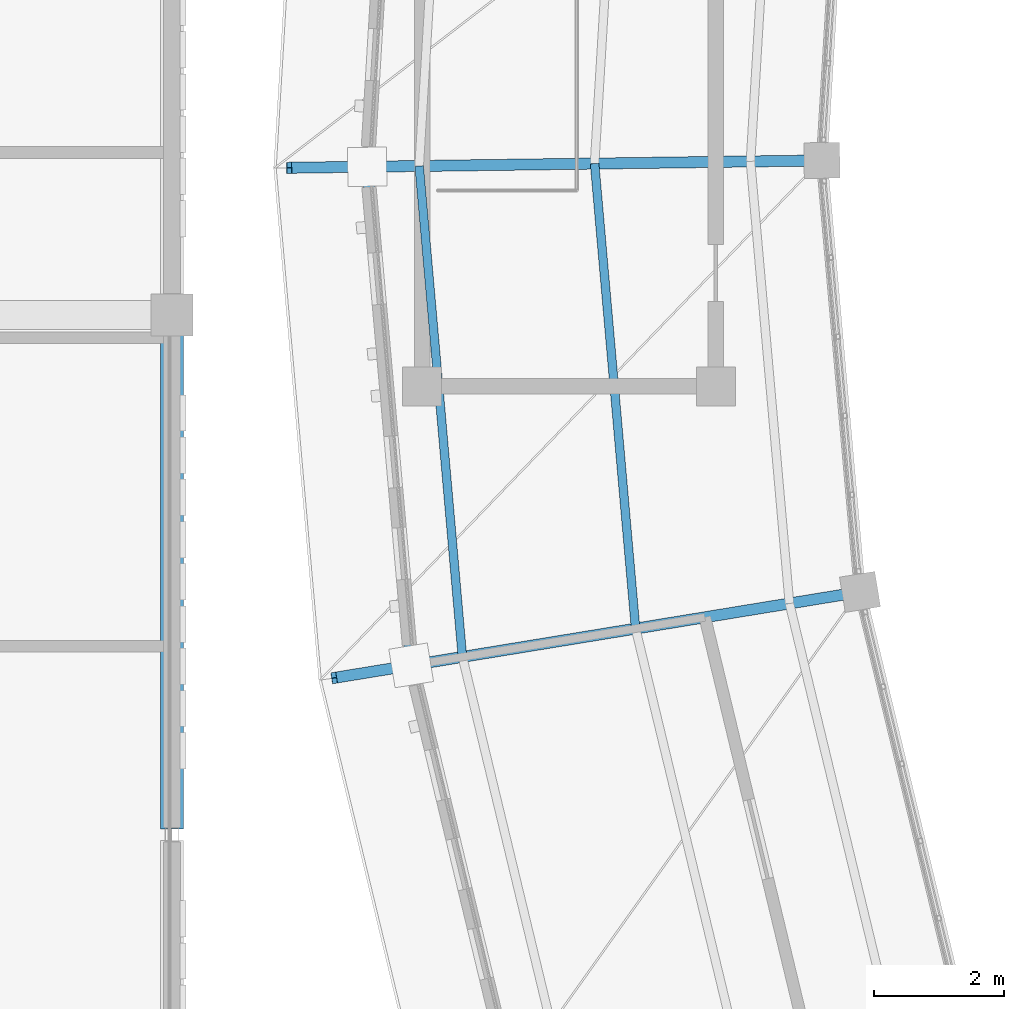
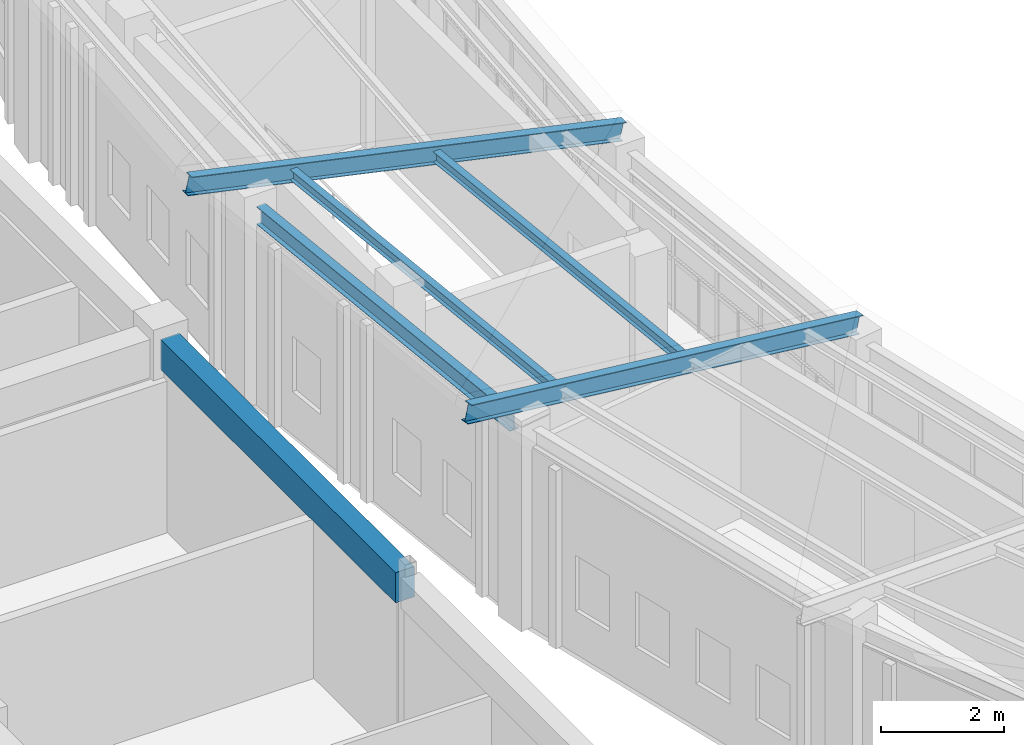
# One storey, part 28 of 149: 4 members, 2 beams.
"""IFC4 building model written with IfcOpenShell, lengths in metres."""

from ifc_helpers import new_model, si_unit, direction, frame, origin, origin_2d, place, context, subcontext, project, spatial, rectangle, i_section, extrude, material, material_profile, profile_set, type_object, element, save


model = new_model("IFC4")

# Units and contexts
model_context = context("Model", 3, precision=1e-05, world=origin(), true_north=direction((0.0, 1.0)))
body_context = subcontext(model_context, "Body", "Model", "MODEL_VIEW")
ifc_project = project(units=[si_unit("LENGTHUNIT", "METRE"), si_unit("AREAUNIT", "SQUARE_METRE"), si_unit("VOLUMEUNIT", "CUBIC_METRE"), si_unit("PLANEANGLEUNIT", "RADIAN"), si_unit("MASSUNIT", "GRAM", prefix="KILO")], contexts=[model_context])

# Site, building, storey
site_placement = place(None, origin())
site = spatial("IfcSite", under=ifc_project, at=site_placement, CompositionType="ELEMENT")
building_placement = place(site_placement, origin())
building = spatial("IfcBuilding", under=site, at=building_placement, Name="Celadon Cloister-Ring School", CompositionType="ELEMENT")
storey_placement = place(building_placement, frame((0.0, 0.0, 12.5)))
storey = spatial("IfcBuildingStorey", under=building, at=storey_placement, Name="L03", CompositionType="ELEMENT", Elevation=12.5)

# Beam
ifc_material_1 = material(Name="Concrete C35/45", Category="concrete")
ifc_material_profile_1 = material_profile(ifc_material_1, rectangle(XDim=0.35009765625, YDim=0.60009765625, at=origin_2d()), Name="RC350X600")
ifc_profile_set_1 = profile_set([ifc_material_profile_1], Name="Concrete C35/45")
beam_type_1 = type_object("IfcBeamType", Name="BT-02", PredefinedType="BEAM", material=ifc_profile_set_1)
beam_1_placement = place(storey_placement, frame((32.0, 48.0849609375, 3.4599609375), z_axis=(0.0, 1.0, 0.0), x_axis=(-1.0, 0.0, 0.0)))
element("IfcBeam", 1, at=beam_1_placement, inside=storey, type_object=beam_type_1, Name="Beam 1635", PredefinedType="BEAM", context=body_context, shape_type="SweptSolid", body=[
    extrude(rectangle(XDim=0.35009765625, YDim=0.60009765625, at=origin_2d()), origin(), (0.0, 0.0, 1.0), 7.614990234375),
])

# Members
ifc_material_2 = material(Name="Structural steel S355JR", Category="steel")
ifc_material_profile_2 = material_profile(ifc_material_2, i_section(OverallWidth=0.133056640625, OverallDepth=0.20703125, WebThickness=0.005859375, FlangeThickness=0.00830078125, at=origin_2d()), Name="W200X27")
ifc_profile_set_2 = profile_set([ifc_material_profile_2], Name="Structural steel S355JR")
member_type_1 = type_object("IfcMemberType", Name="MP-04", PredefinedType="PURLIN", material=ifc_profile_set_2)
member_1_placement = place(storey_placement, frame((38.5048828125, 58.330078125, 3.4599609375), z_axis=(0.087827375069, -0.996135709725, 0.0), x_axis=(0.996135709725, 0.087827375069, 0.0)))
element("IfcMember", 2, at=member_1_placement, inside=storey, type_object=member_type_1, Name="Structural Member 0113", PredefinedType="PURLIN", context=body_context, shape_type="SweptSolid", body=[
    extrude(i_section(OverallWidth=0.133056640625, OverallDepth=0.20703125, WebThickness=0.005859375, FlangeThickness=0.00830078125, at=origin_2d()), origin(), (0.0, 0.0, 1.0), 7.185791015625),
])
member_2_placement = place(storey_placement, frame((35.804931640625, 58.2919921875, 4.073974609375), z_axis=(0.08780457204, -0.996137719961, 0.0), x_axis=(0.996137719961, 0.08780457204, 0.0)))
element("IfcMember", 3, at=member_2_placement, inside=storey, type_object=member_type_1, Name="Structural Member 0114", PredefinedType="PURLIN", context=body_context, shape_type="SweptSolid", body=[
    extrude(i_section(OverallWidth=0.133056640625, OverallDepth=0.20703125, WebThickness=0.005859375, FlangeThickness=0.00830078125, at=origin_2d()), origin(), (0.0, 0.0, 1.0), 7.585205078125),
])
ifc_material_3 = material(Name="Structural steel S355JR", Category="steel")
ifc_material_profile_3 = material_profile(ifc_material_3, i_section(OverallWidth=0.1708984375, OverallDepth=0.35498046875, WebThickness=0.007080078125, FlangeThickness=0.01171875, at=origin_2d()), Name="W360X51")
ifc_profile_set_3 = profile_set([ifc_material_profile_3], Name="Structural steel S355JR")
member_type_2 = type_object("IfcMemberType", Name="MR-05", PredefinedType="RAFTER", material=ifc_profile_set_3)
member_3_placement = place(storey_placement, frame((42.00390625, 58.3779296875, 2.72607421875), z_axis=(-0.97526075989, -0.013445663932, 0.220648281977), x_axis=(0.013785427273, -0.999904976483, 0.0)))
element("IfcMember", 4, at=member_3_placement, inside=storey, type_object=member_type_2, Name="Structural Member 0016", PredefinedType="RAFTER", context=body_context, shape_type="SweptSolid", body=[
    extrude(i_section(OverallWidth=0.1708984375, OverallDepth=0.35498046875, WebThickness=0.007080078125, FlangeThickness=0.01171875, at=origin_2d()), origin(), (0.0, 0.0, 1.0), 8.406982421875),
])
member_4_placement = place(storey_placement, frame((42.590087890625, 51.737060546875, 2.72607421875), z_axis=(-0.962580350061, -0.157356871006, 0.220630652501), x_axis=(0.161332518988, -0.986900105541, 0.0)))
element("IfcMember", 5, at=member_4_placement, inside=storey, type_object=member_type_2, Name="Structural Member 0018", PredefinedType="RAFTER", context=body_context, shape_type="SweptSolid", body=[
    extrude(i_section(OverallWidth=0.1708984375, OverallDepth=0.35498046875, WebThickness=0.007080078125, FlangeThickness=0.01171875, at=origin_2d()), origin(), (0.0, 0.0, 1.0), 8.40771484375),
])

# Beam
ifc_material_4 = material(Name="Structural steel S355JR", Category="steel")
ifc_material_profile_4 = material_profile(ifc_material_4, i_section(OverallWidth=0.1708984375, OverallDepth=0.35498046875, WebThickness=0.007080078125, FlangeThickness=0.01171875, at=origin_2d()), Name="W360X51")
ifc_profile_set_4 = profile_set([ifc_material_profile_4], Name="Structural steel S355JR")
beam_type_2 = type_object("IfcBeamType", Name="SP-04", PredefinedType="SPANDREL", material=ifc_profile_set_4)
beam_2_placement = place(storey_placement, frame((35.029052734375, 58.007080078125, 3.722900390625), z_axis=(0.087913730485, -0.996128092161, 0.0), x_axis=(0.996128092161, 0.087913730485, 0.0)))
element("IfcBeam", 6, at=beam_2_placement, inside=storey, type_object=beam_type_2, Name="Beam 0538", PredefinedType="SPANDREL", context=body_context, shape_type="SweptSolid", body=[
    extrude(i_section(OverallWidth=0.1708984375, OverallDepth=0.35498046875, WebThickness=0.007080078125, FlangeThickness=0.01171875, at=origin_2d()), origin(), (0.0, 0.0, 1.0), 7.153564453125),
])

save(model, "model.ifc")
